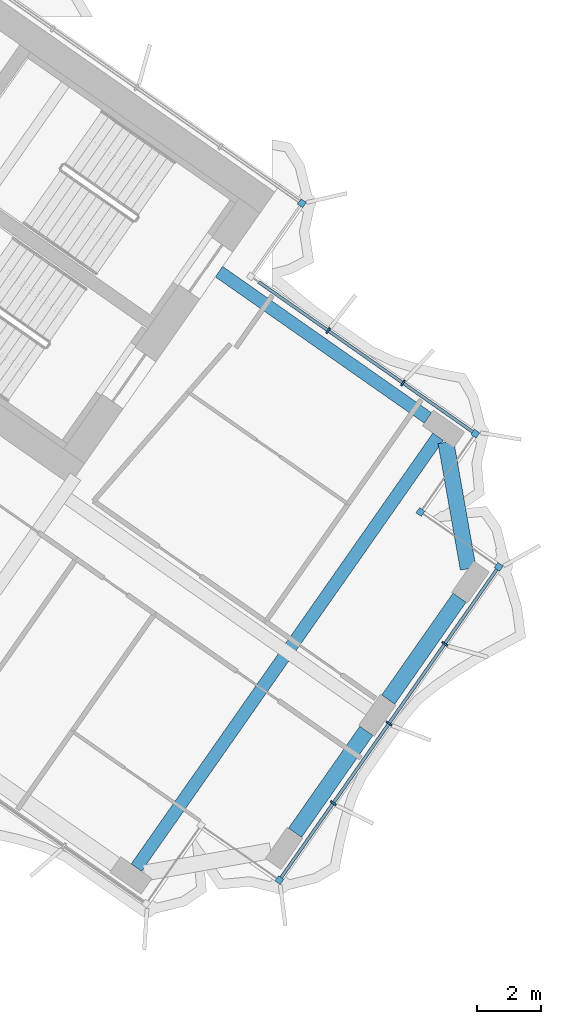
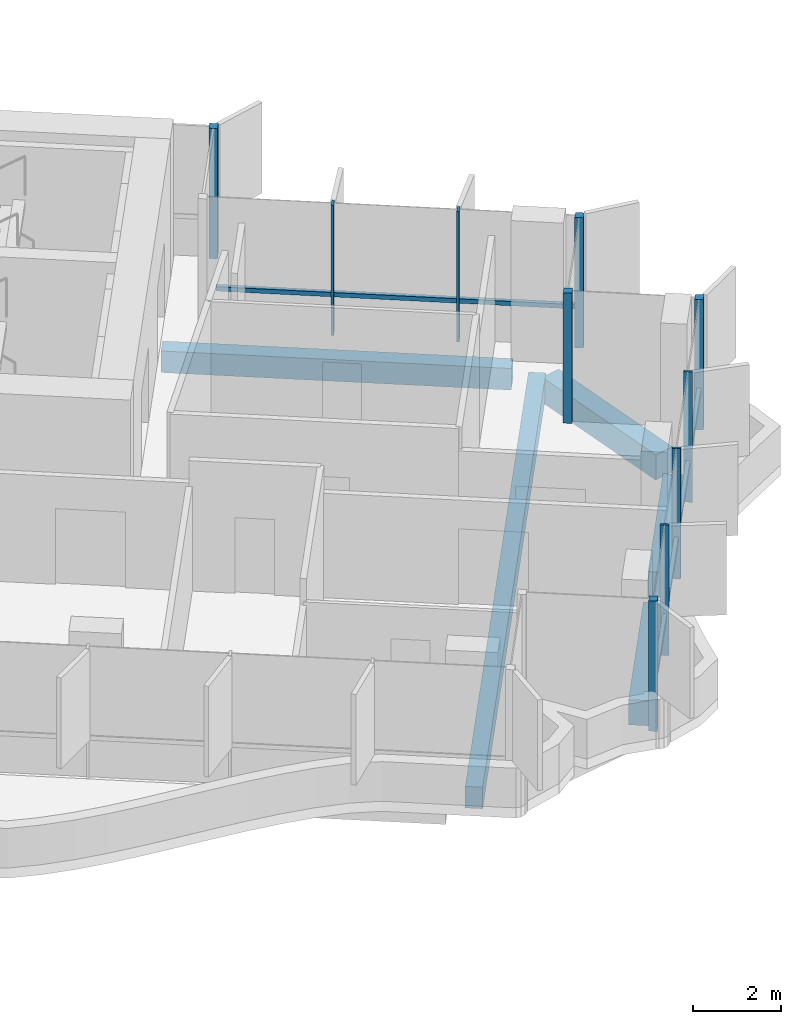
# One storey, part 9 of 22: 12 members, 5 beams, 2 elements without a shape of their own.
"""IFC4 building model written with IfcOpenShell, lengths in metres."""

import ifcopenshell
import ifcopenshell.guid

model = None  # the IFC model being written
_history = None  # IfcOwnerHistory: only IFC2X3 demands one
_inside = {}  # id of a spatial element -> (the spatial element, [elements in it])
_under = {}  # id of a project, library or spatial element -> (it, [spatial elements below it])
_declared = {}  # id of a project -> (the project, [libraries it declares])
_typed = {}  # id of a type object -> (the type object, [elements of that type])
_made_of = {}  # id of a material, layer set ... -> (it, [elements and type objects made of it])


def new_model(schema):
    """Start an empty IFC model of exactly this schema.

    Asked for "IFC4X3", IfcOpenShell would pick the latest addendum, in which some entities
    have other attributes; the version numbers below select the first issue.
    IFC2X3 requires an IfcOwnerHistory on every rooted entity: one is made here for all.
    """
    global model, _history
    if schema == "IFC4X3":
        model = ifcopenshell.file(schema_version=(4, 3, 0, 0))
    else:
        model = ifcopenshell.file(schema=schema)
    _inside.clear()
    _under.clear()
    _declared.clear()
    _typed.clear()
    _made_of.clear()
    _history = None
    if model.schema == "IFC2X3":
        org = make("IfcOrganization", Name="unknown")
        user = make(
            "IfcPersonAndOrganization",
            ThePerson=make("IfcPerson", FamilyName="unknown"),
            TheOrganization=org,
        )
        app = make(
            "IfcApplication",
            ApplicationDeveloper=org,
            Version="unknown",
            ApplicationFullName="unknown",
            ApplicationIdentifier="unknown",
        )
        _history = make(
            "IfcOwnerHistory",
            OwningUser=user,
            OwningApplication=app,
            ChangeAction="ADDED",
            CreationDate=0,
        )
    return model


def make(cls, **values):
    """One entity of the class cls with the attributes given. An attribute that is None is left unset."""
    return model.create_entity(
        cls, **{name: value for name, value in values.items() if value is not None}
    )


def rooted(cls, **values):
    """An entity with a GlobalId (a new one), such as an element, a storey or a relation."""
    return make(cls, GlobalId=ifcopenshell.guid.new(), OwnerHistory=_history, **values)


def si_unit(unit_type, name, prefix=None):
    """IfcSIUnit, for example si_unit("LENGTHUNIT", "METRE", prefix="MILLI")."""
    return make("IfcSIUnit", UnitType=unit_type, Prefix=prefix, Name=name)


def assignment(units):
    """IfcUnitAssignment: the units of a project."""
    return None if units is None else make("IfcUnitAssignment", Units=units)


def point(xyz):
    """IfcCartesianPoint."""
    return None if xyz is None else make("IfcCartesianPoint", Coordinates=xyz)


def direction(xyz):
    """IfcDirection."""
    return None if xyz is None else make("IfcDirection", DirectionRatios=xyz)


def frame(location, z_axis=None, x_axis=None):
    """IfcAxis2Placement3D, a coordinate frame: its origin and axes. An axis left out is left unset."""
    return make(
        "IfcAxis2Placement3D",
        Location=point(location),
        Axis=direction(z_axis),
        RefDirection=direction(x_axis),
    )


def frame_2d(location, x_axis=None):
    """IfcAxis2Placement2D, a coordinate frame in the plane: its origin and x axis."""
    return make(
        "IfcAxis2Placement2D", Location=point(location), RefDirection=direction(x_axis)
    )


def origin():
    """The frame at (0, 0, 0) with its axes left unset."""
    return frame((0.0, 0.0, 0.0))


def origin_2d():
    """The frame at (0, 0) in the plane with its x axis left unset."""
    return frame_2d((0.0, 0.0))


def place(relative_to, where):
    """IfcLocalPlacement: puts the frame where relative to a parent placement (None: the world)."""
    return make(
        "IfcLocalPlacement", PlacementRelTo=relative_to, RelativePlacement=where
    )


def context(
    kind, dimensions, precision=None, world=None, true_north=None, identifier=None
):
    """IfcGeometricRepresentationContext, for example the 3D "Model" context."""
    return make(
        "IfcGeometricRepresentationContext",
        ContextIdentifier=identifier,
        ContextType=kind,
        CoordinateSpaceDimension=dimensions,
        Precision=precision,
        WorldCoordinateSystem=world,
        TrueNorth=true_north,
    )


def subcontext(parent, identifier, kind, view, scale=None):
    """IfcGeometricRepresentationSubContext, for example "Body" below "Model"."""
    return make(
        "IfcGeometricRepresentationSubContext",
        ContextIdentifier=identifier,
        ContextType=kind,
        ParentContext=parent,
        TargetScale=scale,
        TargetView=view,
    )


def project(units=None, contexts=None):
    """IfcProject with its units and contexts."""
    return rooted(
        "IfcProject",
        Name="project",
        RepresentationContexts=contexts,
        UnitsInContext=assignment(units),
    )


def spatial(cls, under=None, at=None, **own):
    """A site, building, storey or space (cls), placed at a placement, below another one or the project."""
    s = rooted(cls, ObjectPlacement=at, **own)
    if under is not None:
        _under.setdefault(under.id(), (under, []))[1].append(s)
    return s


def profile(cls, at=None, kind="AREA", **sizes):
    """A parametric profile (cls). Its sizes go by their IFC names, for example OverallWidth=200.0."""
    return make(cls, ProfileType=kind, Position=at, **sizes)


def rectangle(**sizes):
    """IfcRectangleProfileDef."""
    return profile("IfcRectangleProfileDef", **sizes)


def extrude(swept, where, along, depth):
    """IfcExtrudedAreaSolid: the profile swept, set in the frame where, extruded along a direction by depth."""
    return make(
        "IfcExtrudedAreaSolid",
        SweptArea=swept,
        Position=where,
        ExtrudedDirection=direction(along),
        Depth=depth,
    )


def shape(context_of_items, identifier, shape_type, items):
    """IfcShapeRepresentation: the items that make up one representation, for example the "Body"."""
    return make(
        "IfcShapeRepresentation",
        ContextOfItems=context_of_items,
        RepresentationIdentifier=identifier,
        RepresentationType=shape_type,
        Items=items,
    )


def material(Name=None, Category=None):
    """IfcMaterial."""
    return make("IfcMaterial", Name=Name, Category=Category)


def material_profile(
    of_material, cross_section, Name=None, Category=None, Priority=None
):
    """IfcMaterialProfile: a cross section and its material."""
    return make(
        "IfcMaterialProfile",
        Name=Name,
        Material=of_material,
        Profile=cross_section,
        Priority=Priority,
        Category=Category,
    )


def profile_set(profiles, Name=None, composite=None):
    """IfcMaterialProfileSet."""
    return make(
        "IfcMaterialProfileSet",
        Name=Name,
        MaterialProfiles=profiles,
        CompositeProfile=composite,
    )


def made_of(thing, what):
    """Note that an element or type object is made of a material, layer set ...; save() writes the relation."""
    if what is not None:
        _made_of.setdefault(what.id(), (what, []))[1].append(thing)
    return thing


def type_object(cls, material=None, **own):
    """A type object (cls), such as IfcWallType, which elements share."""
    return made_of(rooted(cls, **own), material)


def element(
    cls,
    number,
    at=None,
    inside=None,
    cuts=None,
    type_object=None,
    material=None,
    context=None,
    identifier="Body",
    shape_type=None,
    held_by="IfcProductDefinitionShape",
    body=None,
    shapes=None,
    **own,
):
    """One element of the class cls, such as IfcWall. Its Tag is "e" and its number.

    at: its placement. inside: the storey or other place that contains it. cuts: it is an
    opening in that element (IfcRelVoidsElement). A single representation is given by context,
    identifier, shape_type and body (its items); several are given by shapes. held_by: the class
    of the entity that holds the representations. save() writes the other relations.
    """
    e = rooted(cls, Tag="e%d" % number, ObjectPlacement=at, **own)
    if body is not None:
        shapes = [shape(context, identifier, shape_type, body)]
    if shapes is not None:
        e.Representation = make(held_by, Representations=shapes)
    if inside is not None:
        _inside.setdefault(inside.id(), (inside, []))[1].append(e)
    if cuts is not None:
        rooted(
            "IfcRelVoidsElement", RelatingBuildingElement=cuts, RelatedOpeningElement=e
        )
    if type_object is not None:
        _typed.setdefault(type_object.id(), (type_object, []))[1].append(e)
    return made_of(e, material)


def aggregate(whole, parts):
    """IfcRelAggregates: a whole, such as a stair, and the parts it consists of."""
    return rooted("IfcRelAggregates", RelatingObject=whole, RelatedObjects=parts)


def save(model, path):
    """Write the relations noted so far, then the file.

    IfcRelAggregates (storeys below a building ...), IfcRelContainedInSpatialStructure (elements
    in a storey), IfcRelDefinesByType, IfcRelAssociatesMaterial and IfcRelDeclares: one each for
    every whole, place, type object, material and project.
    """
    for whole, parts in _under.values():
        aggregate(whole, parts)
    for where, things in _inside.values():
        rooted(
            "IfcRelContainedInSpatialStructure",
            RelatedElements=things,
            RelatingStructure=where,
        )
    for kind, things in _typed.values():
        rooted("IfcRelDefinesByType", RelatedObjects=things, RelatingType=kind)
    for what, things in _made_of.values():
        rooted("IfcRelAssociatesMaterial", RelatedObjects=things, RelatingMaterial=what)
    for by, libraries in _declared.values():
        rooted("IfcRelDeclares", RelatingContext=by, RelatedDefinitions=libraries)
    model.write(path)


model = new_model("IFC4")

# Units and contexts
model_context = context("Model", 3, precision=1e-05, world=origin(), true_north=direction((0.0, 1.0)))
body_context = subcontext(model_context, "Body", "Model", "MODEL_VIEW")
ifc_project = project(units=[si_unit("LENGTHUNIT", "METRE"), si_unit("AREAUNIT", "SQUARE_METRE"), si_unit("VOLUMEUNIT", "CUBIC_METRE"), si_unit("PLANEANGLEUNIT", "RADIAN"), si_unit("MASSUNIT", "GRAM", prefix="KILO")], contexts=[model_context])

# Site, building, storey
site_placement = place(None, origin())
site = spatial("IfcSite", under=ifc_project, at=site_placement, CompositionType="ELEMENT")
building_placement = place(site_placement, origin())
building = spatial("IfcBuilding", under=site, at=building_placement, Name="Tel Ilan Convention Tower", CompositionType="ELEMENT")
storey_placement = place(building_placement, frame((0.0, 0.0, 202.199951171875)))
storey = spatial("IfcBuildingStorey", under=building, at=storey_placement, Name="L47", CompositionType="ELEMENT", Elevation=202.199951171875)

# Beams
ifc_material_1 = material(Name="Concrete C40/50", Category="concrete")
ifc_material_profile_1 = material_profile(ifc_material_1, rectangle(XDim=0.39990234375, YDim=0.60009765625, at=origin_2d()), Name="RC 400x600")
ifc_profile_set_1 = profile_set([ifc_material_profile_1], Name="Concrete C40/50")
beam_type_1 = type_object("IfcBeamType", Name="Beam RC 400x600 Concrete C40/50", PredefinedType="BEAM", material=ifc_profile_set_1)
beam_1_placement = place(storey_placement, frame((32.771484375, -14.21826171875, -0.579833984375), z_axis=(-0.819151624752, 0.573577035512, 0.0), x_axis=(-0.573577035512, -0.819151624752, 0.0)))
element("IfcBeam", 1, at=beam_1_placement, inside=storey, type_object=beam_type_1, Name="L47 beam E-E-BC-core", PredefinedType="BEAM", context=body_context, shape_type="SweptSolid", body=[
    extrude(rectangle(XDim=0.39990234375, YDim=0.60009765625, at=origin_2d()), origin(), (0.0, 0.0, 1.0), 8.0),
])
beam_2_placement = place(storey_placement, frame((23.626708984375, -28.32421875, -0.579833984375), z_axis=(0.573577531157, 0.819151277697, 0.0), x_axis=(-0.819151277697, 0.573577531157, 0.0)))
element("IfcBeam", 2, at=beam_2_placement, inside=storey, type_object=beam_type_1, Name="L47 beam E-E-FC-E-BC", PredefinedType="BEAM", context=body_context, shape_type="SweptSolid", body=[
    extrude(rectangle(XDim=0.39990234375, YDim=0.60009765625, at=origin_2d()), origin(), (0.0, 0.0, 1.0), 16.500244140625),
])
ifc_material_2 = material(Name="Concrete C40/50", Category="concrete")
ifc_material_profile_2 = material_profile(ifc_material_2, rectangle(XDim=0.5, YDim=0.699951171875, at=origin_2d()), Name="RC 500x700")
ifc_profile_set_2 = profile_set([ifc_material_profile_2], Name="Concrete C40/50")
beam_type_2 = type_object("IfcBeamType", Name="Beam RC 500x700 Concrete C40/50", PredefinedType="BEAM", material=ifc_profile_set_2)
for number, where, z_axis, x_axis, name in (
    (3, (28.603759765625, -27.231201171875, -0.6298828125), (0.573609383536, 0.819128973434, 0.0), (-0.819128973434, 0.573609383536, 0.0), "L47 beam E-E-E1-E-E2"),
    (4, (31.529052734375, -23.053466796875, -0.6298828125), (0.573609383536, 0.819128973434, 0.0), (-0.819128973434, 0.573609383536, 0.0), "L47 beam E-E-E2-E-E3"),
):
    element("IfcBeam", number, at=place(storey_placement, frame(where, z_axis=z_axis, x_axis=x_axis)), inside=storey, type_object=beam_type_2, Name=name, PredefinedType="BEAM", context=body_context, shape_type="SweptSolid", body=[
        extrude(rectangle(XDim=0.5, YDim=0.699951171875, at=origin_2d()), origin(), (0.0, 0.0, 1.0), 3.89990234375),
    ])
beam_3_placement = place(storey_placement, frame((34.036376953125, -18.949462890625, -0.6298828125), z_axis=(-0.173605641124, 0.984815252405, 0.0), x_axis=(-0.984815252405, -0.173605641124, 0.0)))
element("IfcBeam", 5, at=beam_3_placement, inside=storey, type_object=beam_type_2, Name="L47 beam E-E-E3-E-BC", PredefinedType="BEAM", context=body_context, shape_type="SweptSolid", body=[
    extrude(rectangle(XDim=0.5, YDim=0.699951171875, at=origin_2d()), origin(), (0.0, 0.0, 1.0), 4.030517578125),
])

# Curtain wall, member
ifc_material_3 = material(Name="Aluminium, bronze anodised", Category="aluminium")
curtain_wall_type_1 = type_object("IfcCurtainWallType", Name="CW2 STICK CURTAIN WALL, SPANDREL PANELS", PredefinedType="NOTDEFINED", material=ifc_material_3)
curtain_wall_1_placement = place(storey_placement, origin())
curtain_wall_1 = element("IfcCurtainWall", 6, at=curtain_wall_1_placement, inside=storey, type_object=curtain_wall_type_1, Name="Curtain wall CW2-37.01", PredefinedType="NOTDEFINED")
ifc_material_4 = material(Name="Aluminium, bronze anodised", Category="aluminium")
ifc_material_profile_3 = material_profile(ifc_material_4, rectangle(XDim=0.199951171875, YDim=0.199951171875, at=origin_2d()), Name="CW CORNER MULLION 200x200")
ifc_profile_set_3 = profile_set([ifc_material_profile_3], Name="Aluminium, bronze anodised")
member_type_1 = type_object("IfcMemberType", Name="CW CORNER MULLION 200x200", PredefinedType="MULLION", material=ifc_profile_set_3)
member_1_placement = place(storey_placement, frame((28.819580078125, -7.483642578125, 0.0), z_axis=(0.0, 0.0, 1.0), x_axis=(0.573576436351, 0.819152044289, 0.0)))
member_1 = element("IfcMember", 7, at=member_1_placement, type_object=member_type_1, Name="Corner mullion", PredefinedType="MULLION", context=body_context, shape_type="SweptSolid", body=[
    extrude(rectangle(XDim=0.199951171875, YDim=0.199951171875, at=origin_2d()), origin(), (0.0, 0.0, 1.0), 3.6201171875),
])
aggregate(curtain_wall_1, [member_1])

# Curtain wall, members
ifc_material_5 = material(Name="Aluminium, bronze anodised", Category="aluminium")
curtain_wall_type_2 = type_object("IfcCurtainWallType", Name="CW4 STICK CURTAIN WALL, OFFICE TINTED GLASS", PredefinedType="NOTDEFINED", material=ifc_material_5)
curtain_wall_2_placement = place(storey_placement, origin())
curtain_wall_2 = element("IfcCurtainWall", 8, at=curtain_wall_2_placement, inside=storey, type_object=curtain_wall_type_2, Name="Curtain wall CW4-37.04", PredefinedType="NOTDEFINED")
member_2_placement = place(storey_placement, frame((28.112060546875, -28.718017578125, 0.0), z_axis=(0.0, 0.0, 1.0), x_axis=(0.819152044289, -0.573576436351, 0.0)))
member_2 = element("IfcMember", 9, at=member_2_placement, type_object=member_type_1, Name="Corner mullion", PredefinedType="MULLION", context=body_context, shape_type="SweptSolid", body=[
    extrude(rectangle(XDim=0.199951171875, YDim=0.199951171875, at=origin_2d()), origin(), (0.0, 0.0, 1.0), 3.6201171875),
])
member_3_placement = place(storey_placement, frame((34.994873046875, -18.88818359375, 0.0), z_axis=(0.0, 0.0, 1.0), x_axis=(0.573576436351, 0.819152044289, 0.0)))
member_3 = element("IfcMember", 10, at=member_3_placement, type_object=member_type_1, Name="Corner mullion", PredefinedType="MULLION", context=body_context, shape_type="SweptSolid", body=[
    extrude(rectangle(XDim=0.199951171875, YDim=0.199951171875, at=origin_2d()), origin(), (0.0, 0.0, 1.0), 3.6201171875),
])
member_4_placement = place(storey_placement, frame((32.53759765625, -17.16748046875, 0.0), z_axis=(0.0, 0.0, 1.0), x_axis=(-0.819152044289, 0.573576436351, 0.0)))
member_4 = element("IfcMember", 11, at=member_4_placement, type_object=member_type_1, Name="Corner mullion", PredefinedType="MULLION", context=body_context, shape_type="SweptSolid", body=[
    extrude(rectangle(XDim=0.199951171875, YDim=0.199951171875, at=origin_2d()), origin(), (0.0, 0.0, 1.0), 3.6201171875),
])
member_5_placement = place(storey_placement, frame((34.25830078125, -14.7099609375, 0.0), z_axis=(0.0, 0.0, 1.0), x_axis=(0.573576436351, 0.819152044289, 0.0)))
member_5 = element("IfcMember", 12, at=member_5_placement, type_object=member_type_1, Name="Corner mullion", PredefinedType="MULLION", context=body_context, shape_type="SweptSolid", body=[
    extrude(rectangle(XDim=0.199951171875, YDim=0.199951171875, at=origin_2d()), origin(), (0.0, 0.0, 1.0), 3.6201171875),
])
ifc_material_6 = material(Name="Aluminium, bronze anodised", Category="aluminium")
ifc_material_profile_4 = material_profile(ifc_material_6, rectangle(XDim=0.06005859375, YDim=0.199951171875, at=origin_2d()), Name="CW MULLION 60x200")
ifc_profile_set_4 = profile_set([ifc_material_profile_4], Name="Aluminium, bronze anodised")
member_type_2 = type_object("IfcMemberType", Name="CW MULLION 60x200", PredefinedType="MULLION", material=ifc_profile_set_4)
member_6_placement = place(storey_placement, frame((29.80419921875, -26.301513671875, 0.0), z_axis=(0.0, 0.0, 1.0), x_axis=(0.573576436351, 0.819152044289, 0.0)))
member_6 = element("IfcMember", 13, at=member_6_placement, type_object=member_type_2, Name="Mullion", PredefinedType="MULLION", context=body_context, shape_type="SweptSolid", body=[
    extrude(rectangle(XDim=0.06005859375, YDim=0.199951171875, at=origin_2d()), origin(), (0.0, 0.0, 1.0), 3.6201171875),
])
member_7_placement = place(storey_placement, frame((31.553466796875, -23.802978515625, 0.0), z_axis=(0.0, 0.0, 1.0), x_axis=(0.573576436351, 0.819152044289, 0.0)))
member_7 = element("IfcMember", 14, at=member_7_placement, type_object=member_type_2, Name="Mullion", PredefinedType="MULLION", context=body_context, shape_type="SweptSolid", body=[
    extrude(rectangle(XDim=0.06005859375, YDim=0.199951171875, at=origin_2d()), origin(), (0.0, 0.0, 1.0), 3.6201171875),
])
member_8_placement = place(storey_placement, frame((33.302978515625, -21.3046875, 0.0), z_axis=(0.0, 0.0, 1.0), x_axis=(0.573576436351, 0.819152044289, 0.0)))
member_8 = element("IfcMember", 15, at=member_8_placement, type_object=member_type_2, Name="Mullion", PredefinedType="MULLION", context=body_context, shape_type="SweptSolid", body=[
    extrude(rectangle(XDim=0.06005859375, YDim=0.199951171875, at=origin_2d()), origin(), (0.0, 0.0, 1.0), 3.6201171875),
])
member_9_placement = place(storey_placement, frame((31.991943359375, -13.123046875, 0.0), z_axis=(0.0, 0.0, 1.0), x_axis=(-0.819152044289, 0.573576436351, 0.0)))
member_9 = element("IfcMember", 16, at=member_9_placement, type_object=member_type_2, Name="Mullion", PredefinedType="MULLION", context=body_context, shape_type="SweptSolid", body=[
    extrude(rectangle(XDim=0.06005859375, YDim=0.199951171875, at=origin_2d()), origin(), (0.0, 0.0, 1.0), 3.6201171875),
])
member_10_placement = place(storey_placement, frame((29.6435546875, -11.478759765625, 0.0), z_axis=(0.0, 0.0, 1.0), x_axis=(-0.819152044289, 0.573576436351, 0.0)))
member_10 = element("IfcMember", 17, at=member_10_placement, type_object=member_type_2, Name="Mullion", PredefinedType="MULLION", context=body_context, shape_type="SweptSolid", body=[
    extrude(rectangle(XDim=0.06005859375, YDim=0.199951171875, at=origin_2d()), origin(), (0.0, 0.0, 1.0), 3.6201171875),
])
ifc_material_7 = material(Name="Aluminium, bronze anodised", Category="aluminium")
ifc_material_profile_5 = material_profile(ifc_material_7, rectangle(XDim=0.10009765625, YDim=0.1201171875, at=origin_2d()), Name="CW TRANSOM 100x120")
ifc_profile_set_5 = profile_set([ifc_material_profile_5], Name="Aluminium, bronze anodised")
member_type_3 = type_object("IfcMemberType", Name="CW TRANSOM 100x120", PredefinedType="USERDEFINED", material=ifc_profile_set_5)
member_11_placement = place(storey_placement, frame((28.16943359375, -28.635986328125, 1.10009765625), z_axis=(0.573567872435, 0.819158040741, 0.0), x_axis=(-0.819158040741, 0.573567872435, 0.0)))
member_11 = element("IfcMember", 18, at=member_11_placement, type_object=member_type_3, Name="Transom", ObjectType="TRANSOM", PredefinedType="USERDEFINED", context=body_context, shape_type="SweptSolid", body=[
    extrude(rectangle(XDim=0.10009765625, YDim=0.1201171875, at=origin_2d()), origin(), (0.0, 0.0, 1.0), 11.800048828125),
])
member_12_placement = place(storey_placement, frame((34.17626953125, -14.652587890625, 1.10009765625), z_axis=(-0.819149386388, 0.573580232209, 0.0), x_axis=(-0.573580232209, -0.819149386388, 0.0)))
member_12 = element("IfcMember", 19, at=member_12_placement, type_object=member_type_3, Name="Transom", ObjectType="TRANSOM", PredefinedType="USERDEFINED", context=body_context, shape_type="SweptSolid", body=[
    extrude(rectangle(XDim=0.10009765625, YDim=0.1201171875, at=origin_2d()), origin(), (0.0, 0.0, 1.0), 8.199951171875),
])
aggregate(curtain_wall_2, [member_2, member_6, member_7, member_8, member_3, member_11, member_4, member_5, member_9, member_10, member_12])

save(model, "model.ifc")
